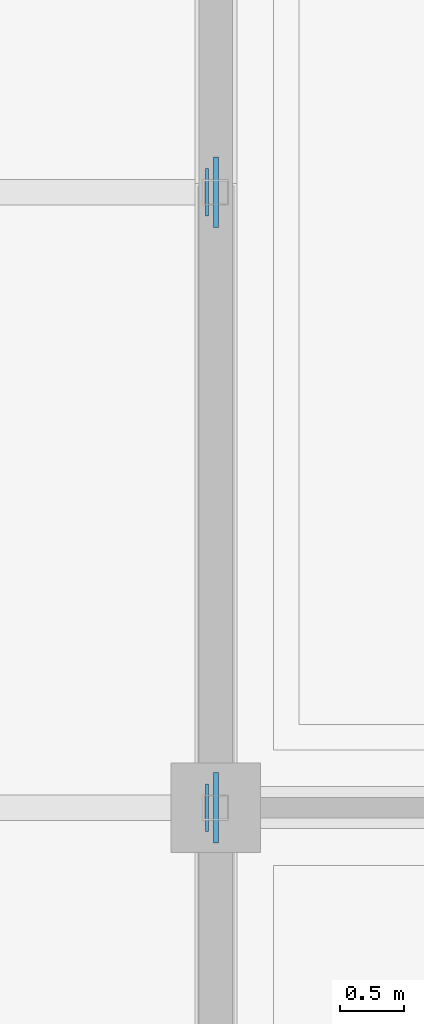
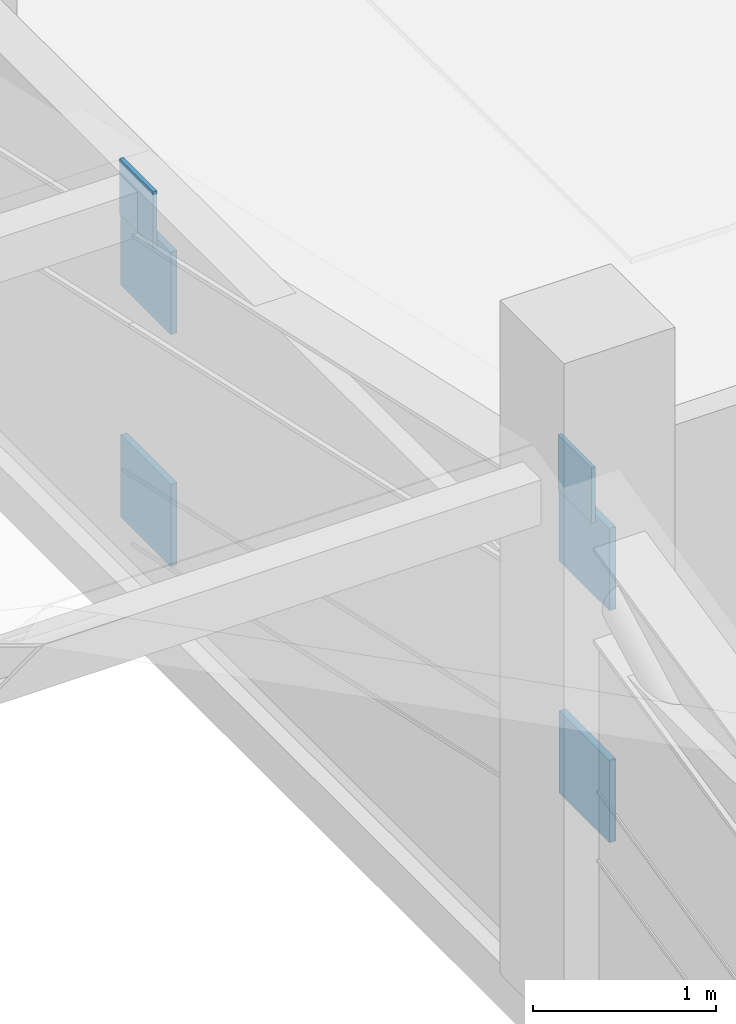
# One storey, part 99 of 151: 6 plates.
"""IFC4 building model written with IfcOpenShell, lengths in metres."""

import ifcopenshell
import ifcopenshell.guid

model = None  # the IFC model being written
_history = None  # IfcOwnerHistory: only IFC2X3 demands one
_inside = {}  # id of a spatial element -> (the spatial element, [elements in it])
_under = {}  # id of a project, library or spatial element -> (it, [spatial elements below it])
_declared = {}  # id of a project -> (the project, [libraries it declares])
_typed = {}  # id of a type object -> (the type object, [elements of that type])
_made_of = {}  # id of a material, layer set ... -> (it, [elements and type objects made of it])


def new_model(schema):
    """Start an empty IFC model of exactly this schema.

    Asked for "IFC4X3", IfcOpenShell would pick the latest addendum, in which some entities
    have other attributes; the version numbers below select the first issue.
    IFC2X3 requires an IfcOwnerHistory on every rooted entity: one is made here for all.
    """
    global model, _history
    if schema == "IFC4X3":
        model = ifcopenshell.file(schema_version=(4, 3, 0, 0))
    else:
        model = ifcopenshell.file(schema=schema)
    _inside.clear()
    _under.clear()
    _declared.clear()
    _typed.clear()
    _made_of.clear()
    _history = None
    if model.schema == "IFC2X3":
        org = make("IfcOrganization", Name="unknown")
        user = make(
            "IfcPersonAndOrganization",
            ThePerson=make("IfcPerson", FamilyName="unknown"),
            TheOrganization=org,
        )
        app = make(
            "IfcApplication",
            ApplicationDeveloper=org,
            Version="unknown",
            ApplicationFullName="unknown",
            ApplicationIdentifier="unknown",
        )
        _history = make(
            "IfcOwnerHistory",
            OwningUser=user,
            OwningApplication=app,
            ChangeAction="ADDED",
            CreationDate=0,
        )
    return model


def make(cls, **values):
    """One entity of the class cls with the attributes given. An attribute that is None is left unset."""
    return model.create_entity(
        cls, **{name: value for name, value in values.items() if value is not None}
    )


def rooted(cls, **values):
    """An entity with a GlobalId (a new one), such as an element, a storey or a relation."""
    return make(cls, GlobalId=ifcopenshell.guid.new(), OwnerHistory=_history, **values)


def si_unit(unit_type, name, prefix=None):
    """IfcSIUnit, for example si_unit("LENGTHUNIT", "METRE", prefix="MILLI")."""
    return make("IfcSIUnit", UnitType=unit_type, Prefix=prefix, Name=name)


def assignment(units):
    """IfcUnitAssignment: the units of a project."""
    return None if units is None else make("IfcUnitAssignment", Units=units)


def point(xyz):
    """IfcCartesianPoint."""
    return None if xyz is None else make("IfcCartesianPoint", Coordinates=xyz)


def direction(xyz):
    """IfcDirection."""
    return None if xyz is None else make("IfcDirection", DirectionRatios=xyz)


def frame(location, z_axis=None, x_axis=None):
    """IfcAxis2Placement3D, a coordinate frame: its origin and axes. An axis left out is left unset."""
    return make(
        "IfcAxis2Placement3D",
        Location=point(location),
        Axis=direction(z_axis),
        RefDirection=direction(x_axis),
    )


def frame_2d(location, x_axis=None):
    """IfcAxis2Placement2D, a coordinate frame in the plane: its origin and x axis."""
    return make(
        "IfcAxis2Placement2D", Location=point(location), RefDirection=direction(x_axis)
    )


def origin():
    """The frame at (0, 0, 0) with its axes left unset."""
    return frame((0.0, 0.0, 0.0))


def origin_2d():
    """The frame at (0, 0) in the plane with its x axis left unset."""
    return frame_2d((0.0, 0.0))


def place(relative_to, where):
    """IfcLocalPlacement: puts the frame where relative to a parent placement (None: the world)."""
    return make(
        "IfcLocalPlacement", PlacementRelTo=relative_to, RelativePlacement=where
    )


def context(
    kind, dimensions, precision=None, world=None, true_north=None, identifier=None
):
    """IfcGeometricRepresentationContext, for example the 3D "Model" context."""
    return make(
        "IfcGeometricRepresentationContext",
        ContextIdentifier=identifier,
        ContextType=kind,
        CoordinateSpaceDimension=dimensions,
        Precision=precision,
        WorldCoordinateSystem=world,
        TrueNorth=true_north,
    )


def subcontext(parent, identifier, kind, view, scale=None):
    """IfcGeometricRepresentationSubContext, for example "Body" below "Model"."""
    return make(
        "IfcGeometricRepresentationSubContext",
        ContextIdentifier=identifier,
        ContextType=kind,
        ParentContext=parent,
        TargetScale=scale,
        TargetView=view,
    )


def project(units=None, contexts=None):
    """IfcProject with its units and contexts."""
    return rooted(
        "IfcProject",
        Name="project",
        RepresentationContexts=contexts,
        UnitsInContext=assignment(units),
    )


def spatial(cls, under=None, at=None, **own):
    """A site, building, storey or space (cls), placed at a placement, below another one or the project."""
    s = rooted(cls, ObjectPlacement=at, **own)
    if under is not None:
        _under.setdefault(under.id(), (under, []))[1].append(s)
    return s


def profile(cls, at=None, kind="AREA", **sizes):
    """A parametric profile (cls). Its sizes go by their IFC names, for example OverallWidth=200.0."""
    return make(cls, ProfileType=kind, Position=at, **sizes)


def rectangle(**sizes):
    """IfcRectangleProfileDef."""
    return profile("IfcRectangleProfileDef", **sizes)


def extrude(swept, where, along, depth):
    """IfcExtrudedAreaSolid: the profile swept, set in the frame where, extruded along a direction by depth."""
    return make(
        "IfcExtrudedAreaSolid",
        SweptArea=swept,
        Position=where,
        ExtrudedDirection=direction(along),
        Depth=depth,
    )


def shape(context_of_items, identifier, shape_type, items):
    """IfcShapeRepresentation: the items that make up one representation, for example the "Body"."""
    return make(
        "IfcShapeRepresentation",
        ContextOfItems=context_of_items,
        RepresentationIdentifier=identifier,
        RepresentationType=shape_type,
        Items=items,
    )


def material(Name=None, Category=None):
    """IfcMaterial."""
    return make("IfcMaterial", Name=Name, Category=Category)


def layer(
    of_material, thickness, ventilated=None, Name=None, Category=None, Priority=None
):
    """IfcMaterialLayer: one layer of a wall or slab, of a material (None: an air gap)."""
    return make(
        "IfcMaterialLayer",
        Material=of_material,
        LayerThickness=thickness,
        IsVentilated=ventilated,
        Name=Name,
        Category=Category,
        Priority=Priority,
    )


def layer_set(layers, Name=None):
    """IfcMaterialLayerSet."""
    return make("IfcMaterialLayerSet", MaterialLayers=layers, LayerSetName=Name)


def made_of(thing, what):
    """Note that an element or type object is made of a material, layer set ...; save() writes the relation."""
    if what is not None:
        _made_of.setdefault(what.id(), (what, []))[1].append(thing)
    return thing


def type_object(cls, material=None, **own):
    """A type object (cls), such as IfcWallType, which elements share."""
    return made_of(rooted(cls, **own), material)


def element(
    cls,
    number,
    at=None,
    inside=None,
    cuts=None,
    type_object=None,
    material=None,
    context=None,
    identifier="Body",
    shape_type=None,
    held_by="IfcProductDefinitionShape",
    body=None,
    shapes=None,
    **own,
):
    """One element of the class cls, such as IfcWall. Its Tag is "e" and its number.

    at: its placement. inside: the storey or other place that contains it. cuts: it is an
    opening in that element (IfcRelVoidsElement). A single representation is given by context,
    identifier, shape_type and body (its items); several are given by shapes. held_by: the class
    of the entity that holds the representations. save() writes the other relations.
    """
    e = rooted(cls, Tag="e%d" % number, ObjectPlacement=at, **own)
    if body is not None:
        shapes = [shape(context, identifier, shape_type, body)]
    if shapes is not None:
        e.Representation = make(held_by, Representations=shapes)
    if inside is not None:
        _inside.setdefault(inside.id(), (inside, []))[1].append(e)
    if cuts is not None:
        rooted(
            "IfcRelVoidsElement", RelatingBuildingElement=cuts, RelatedOpeningElement=e
        )
    if type_object is not None:
        _typed.setdefault(type_object.id(), (type_object, []))[1].append(e)
    return made_of(e, material)


def aggregate(whole, parts):
    """IfcRelAggregates: a whole, such as a stair, and the parts it consists of."""
    return rooted("IfcRelAggregates", RelatingObject=whole, RelatedObjects=parts)


def save(model, path):
    """Write the relations noted so far, then the file.

    IfcRelAggregates (storeys below a building ...), IfcRelContainedInSpatialStructure (elements
    in a storey), IfcRelDefinesByType, IfcRelAssociatesMaterial and IfcRelDeclares: one each for
    every whole, place, type object, material and project.
    """
    for whole, parts in _under.values():
        aggregate(whole, parts)
    for where, things in _inside.values():
        rooted(
            "IfcRelContainedInSpatialStructure",
            RelatedElements=things,
            RelatingStructure=where,
        )
    for kind, things in _typed.values():
        rooted("IfcRelDefinesByType", RelatedObjects=things, RelatingType=kind)
    for what, things in _made_of.values():
        rooted("IfcRelAssociatesMaterial", RelatedObjects=things, RelatingMaterial=what)
    for by, libraries in _declared.values():
        rooted("IfcRelDeclares", RelatingContext=by, RelatedDefinitions=libraries)
    model.write(path)


model = new_model("IFC4")

# Units and contexts
model_context = context("Model", 3, precision=1e-05, world=origin(), true_north=direction((0.0, 1.0)))
body_context = subcontext(model_context, "Body", "Model", "MODEL_VIEW")
ifc_project = project(units=[si_unit("LENGTHUNIT", "METRE"), si_unit("AREAUNIT", "SQUARE_METRE"), si_unit("VOLUMEUNIT", "CUBIC_METRE"), si_unit("PLANEANGLEUNIT", "RADIAN"), si_unit("MASSUNIT", "GRAM", prefix="KILO")], contexts=[model_context])

# Site, building, storey
site_placement = place(None, origin())
site = spatial("IfcSite", under=ifc_project, at=site_placement, CompositionType="ELEMENT")
building_placement = place(site_placement, origin())
building = spatial("IfcBuilding", under=site, at=building_placement, Name="Celestram Park Convention Centre", CompositionType="ELEMENT")
storey_placement = place(building_placement, frame((0.0, 0.0, 10.800048828125)))
storey = spatial("IfcBuildingStorey", under=building, at=storey_placement, Name="L02", CompositionType="ELEMENT", Elevation=10.800048828125)

# Plates
ifc_material = material(Name="Steel ASTM A572 Grade 50", Category="steel")
ifc_layer_1 = layer(ifc_material, 0.02490234375)
ifc_layer_set_1 = layer_set([ifc_layer_1], Name="Steel ASTM A572 Grade 50")
plate_type_1 = type_object("IfcPlateType", Name="STR-PLT-EC350", PredefinedType="USERDEFINED", material=ifc_layer_set_1)
for number, where, z_axis, x_axis, name in (
    (1, (35.931884765625, 122.39990234375, 3.239990234375), (0.0, 0.0, 1.0), (0.0, 1.0, 0.0), "HSS purlin end closure cap plate EC-L02-184"),
    (2, (35.931884765625, 127.199951171875, 2.173095703125), (0.0, 0.0, 1.0), (0.0, 1.0, 0.0), "HSS purlin end closure cap plate EC-L02-185"),
):
    element("IfcPlate", number, at=place(storey_placement, frame(where, z_axis=z_axis, x_axis=x_axis)), inside=storey, type_object=plate_type_1, Name=name, ObjectType="GUSSET_PLATE", PredefinedType="USERDEFINED", context=body_context, shape_type="SweptSolid", body=[
        extrude(rectangle(XDim=0.3701171875, YDim=0.02490234375, at=origin_2d()), origin(), (0.0, 0.0, 1.0), 0.3701171875),
    ])
ifc_layer_2 = layer(ifc_material, 0.0400390625)
ifc_layer_set_2 = layer_set([ifc_layer_2], Name="Steel ASTM A572 Grade 50")
plate_type_2 = type_object("IfcPlateType", Name="STR-PLT-GP40", PredefinedType="USERDEFINED", material=ifc_layer_set_2)
for number, where, z_axis, x_axis, name in (
    (3, (36.0, 122.39990234375, 2.68896484375), (0.0, 0.0, 1.0), (0.0, 1.0, 0.0), "WPV truss node gusset plate"),
    (4, (36.0, 122.39990234375, 1.13916015625), (0.0, 0.0, 1.0), (0.0, 1.0, 0.0), "WPV truss node gusset plate"),
    (5, (36.0, 127.199951171875, 1.6220703125), (0.0, 0.0, 1.0), (0.0, 1.0, 0.0), "WPV truss node gusset plate"),
    (6, (36.0, 127.199951171875, 0.072265625), (0.0, 0.0, 1.0), (0.0, 1.0, 0.0), "WPV truss node gusset plate"),
):
    element("IfcPlate", number, at=place(storey_placement, frame(where, z_axis=z_axis, x_axis=x_axis)), inside=storey, type_object=plate_type_2, Name=name, ObjectType="GUSSET_PLATE", PredefinedType="USERDEFINED", context=body_context, shape_type="SweptSolid", body=[
        extrude(rectangle(XDim=0.550048828125, YDim=0.0400390625, at=origin_2d()), origin(), (0.0, 0.0, 1.0), 0.550048828125),
    ])

save(model, "model.ifc")
